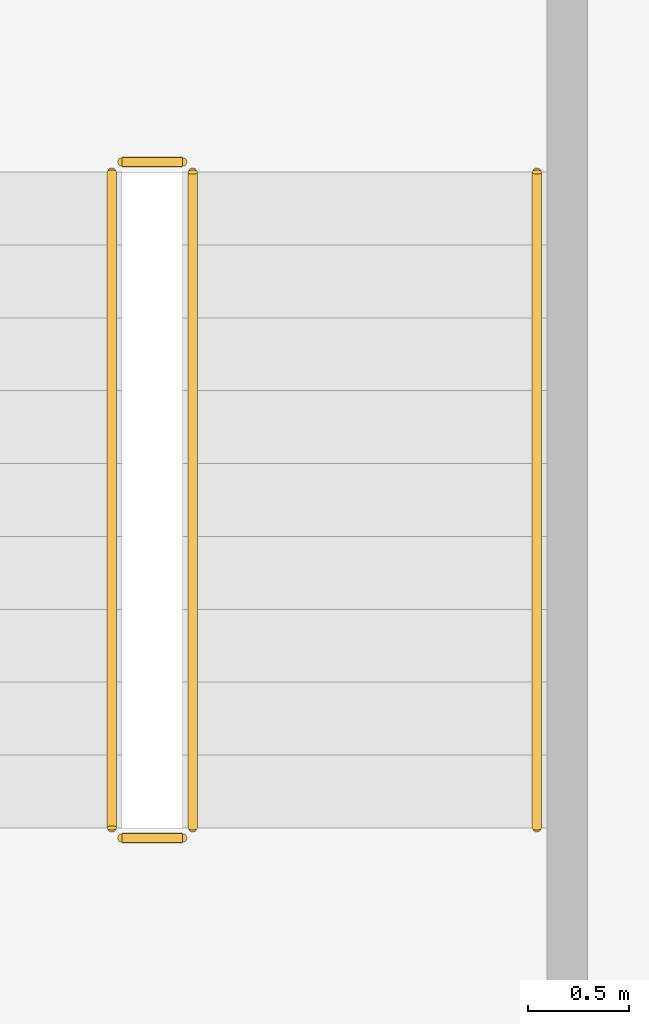
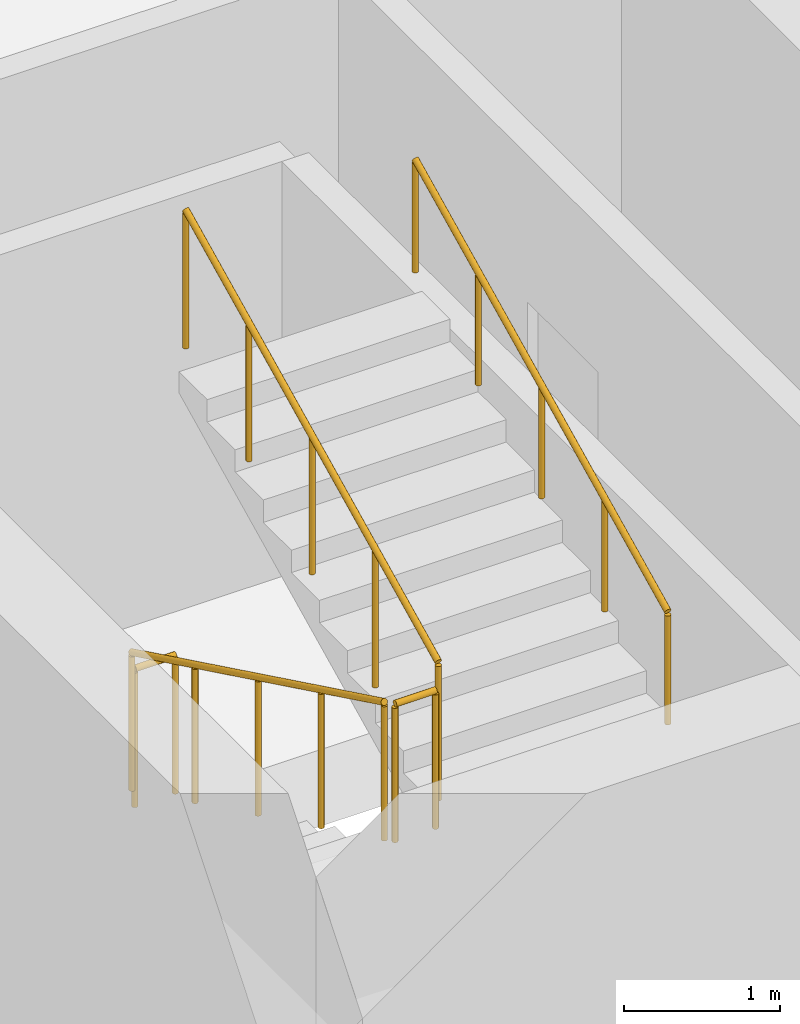
# One storey, part 26 of 28: 5 railings.
"""IFC4 building model written with IfcOpenShell, lengths in metres."""

from ifc_helpers import new_model, si_unit, direction, frame, origin, origin_2d, place, context, subcontext, project, spatial, circle, extrude, material, type_object, element, save


model = new_model("IFC4")

# Units and contexts
model_context = context("Model", 3, precision=1e-05, world=origin(), true_north=direction((0.0, 1.0)))
body_context = subcontext(model_context, "Body", "Model", "MODEL_VIEW")
ifc_project = project(units=[si_unit("LENGTHUNIT", "METRE"), si_unit("AREAUNIT", "SQUARE_METRE"), si_unit("VOLUMEUNIT", "CUBIC_METRE"), si_unit("PLANEANGLEUNIT", "RADIAN"), si_unit("MASSUNIT", "GRAM", prefix="KILO")], contexts=[model_context])

# Site, building, storey
site_placement = place(None, origin())
site = spatial("IfcSite", under=ifc_project, at=site_placement, CompositionType="ELEMENT")
building_placement = place(site_placement, origin())
building = spatial("IfcBuilding", under=site, at=building_placement, Name="Cobrizo Arcos Hotel Tower", CompositionType="ELEMENT")
storey_placement = place(building_placement, frame((0.0, 0.0, 39.0)))
storey = spatial("IfcBuildingStorey", under=building, at=storey_placement, Name="L07", CompositionType="ELEMENT", Elevation=39.0)

# Railings
ifc_material = material(Name="Stainless steel railing", Category="steel")
railing_type_1 = type_object("IfcRailingType", Name="Stair guard 1100", PredefinedType="GUARDRAIL", material=ifc_material)
railing_1_placement = place(storey_placement, frame((17.75, -5.5, 0.175048828125)))
element("IfcRailing", 1, at=railing_1_placement, inside=storey, type_object=railing_type_1, Name="L07 ST-E stair guard 1", PredefinedType="GUARDRAIL", context=body_context, shape_type="SweptSolid", body=[
    extrude(circle(Radius=0.02392578125, at=origin_2d()), frame((0.0, 0.0, 1.076171875), z_axis=(0.0, -0.899372665325, 0.437182809435), x_axis=(1.0, 0.0, 0.0)), (0.0, 0.0, 1.0), 3.6025390625),
    extrude(circle(Radius=0.02099609375, at=origin_2d()), origin(), (0.0, 0.0, 1.0), 1.052001953125),
    extrude(circle(Radius=0.02099609375, at=origin_2d()), frame((0.0, -0.81005859375, 0.393798828125)), (0.0, 0.0, 1.0), 1.052001953125),
    extrude(circle(Radius=0.02099609375, at=origin_2d()), frame((0.0, -1.6201171875, 0.78759765625)), (0.0, 0.0, 1.0), 1.052001953125),
    extrude(circle(Radius=0.02099609375, at=origin_2d()), frame((0.0, -2.429931640625, 1.18115234375)), (0.0, 0.0, 1.0), 1.052001953125),
    extrude(circle(Radius=0.02099609375, at=origin_2d()), frame((0.0, -3.239990234375, 1.574951171875)), (0.0, 0.0, 1.0), 1.052001953125),
])
railing_2_placement = place(storey_placement, frame((17.800048828125, -8.7900390625, 1.75)))
element("IfcRailing", 2, at=railing_2_placement, inside=storey, type_object=railing_type_1, Name="L07 ST-E stair guard 2", PredefinedType="GUARDRAIL", context=body_context, shape_type="SweptSolid", body=[
    extrude(circle(Radius=0.02392578125, at=origin_2d()), frame((0.0, 0.0, 1.076171875), z_axis=(1.0, 0.0, 0.0), x_axis=(0.0, 1.0, 0.0)), (0.0, 0.0, 1.0), 0.300048828125),
    extrude(circle(Radius=0.02099609375, at=origin_2d()), origin(), (0.0, 0.0, 1.0), 1.052001953125),
    extrude(circle(Radius=0.02099609375, at=origin_2d()), frame((0.300048828125, 0.0, 0.0)), (0.0, 0.0, 1.0), 1.052001953125),
])
railing_3_placement = place(storey_placement, frame((18.14990234375, -8.739990234375, 1.925048828125)))
element("IfcRailing", 3, at=railing_3_placement, inside=storey, type_object=railing_type_1, Name="L07 ST-E stair guard 3", PredefinedType="GUARDRAIL", context=body_context, shape_type="SweptSolid", body=[
    extrude(circle(Radius=0.02392578125, at=origin_2d()), frame((0.0, 0.0, 1.076171875), z_axis=(0.0, 0.899372665325, 0.437182809435), x_axis=(-1.0, 0.0, 0.0)), (0.0, 0.0, 1.0), 3.6025390625),
    extrude(circle(Radius=0.02099609375, at=origin_2d()), origin(), (0.0, 0.0, 1.0), 1.052001953125),
    extrude(circle(Radius=0.02099609375, at=origin_2d()), frame((0.0, 0.81005859375, 0.393798828125)), (0.0, 0.0, 1.0), 1.052001953125),
    extrude(circle(Radius=0.02099609375, at=origin_2d()), frame((0.0, 1.6201171875, 0.78759765625)), (0.0, 0.0, 1.0), 1.052001953125),
    extrude(circle(Radius=0.02099609375, at=origin_2d()), frame((0.0, 2.429931640625, 1.18115234375)), (0.0, 0.0, 1.0), 1.052001953125),
    extrude(circle(Radius=0.02099609375, at=origin_2d()), frame((0.0, 3.239990234375, 1.574951171875)), (0.0, 0.0, 1.0), 1.052001953125),
])
railing_4_placement = place(storey_placement, frame((17.800048828125, -5.449951171875, 0.0)))
element("IfcRailing", 4, at=railing_4_placement, inside=storey, type_object=railing_type_1, Name="L07 ST-E stair guard 4", PredefinedType="GUARDRAIL", context=body_context, shape_type="SweptSolid", body=[
    extrude(circle(Radius=0.02392578125, at=origin_2d()), frame((0.0, 0.0, 1.076171875), z_axis=(1.0, 0.0, 0.0), x_axis=(0.0, 1.0, 0.0)), (0.0, 0.0, 1.0), 0.300048828125),
    extrude(circle(Radius=0.02099609375, at=origin_2d()), origin(), (0.0, 0.0, 1.0), 1.052001953125),
    extrude(circle(Radius=0.02099609375, at=origin_2d()), frame((0.300048828125, 0.0, 0.0)), (0.0, 0.0, 1.0), 1.052001953125),
])
railing_type_2 = type_object("IfcRailingType", Name="Stair handrail", PredefinedType="HANDRAIL", material=ifc_material)
railing_5_placement = place(storey_placement, frame((19.85009765625, -8.739990234375, 1.925048828125)))
element("IfcRailing", 5, at=railing_5_placement, inside=storey, type_object=railing_type_2, Name="L07 ST-E stair handrail 2", PredefinedType="HANDRAIL", context=body_context, shape_type="SweptSolid", body=[
    extrude(circle(Radius=0.02392578125, at=origin_2d()), frame((0.0, 0.0, 0.8759765625), z_axis=(0.0, 0.899372665325, 0.437182809435), x_axis=(-1.0, 0.0, 0.0)), (0.0, 0.0, 1.0), 3.6025390625),
    extrude(circle(Radius=0.02099609375, at=origin_2d()), origin(), (0.0, 0.0, 1.0), 0.851806640625),
    extrude(circle(Radius=0.02099609375, at=origin_2d()), frame((0.0, 0.81005859375, 0.393798828125)), (0.0, 0.0, 1.0), 0.851806640625),
    extrude(circle(Radius=0.02099609375, at=origin_2d()), frame((0.0, 1.6201171875, 0.78759765625)), (0.0, 0.0, 1.0), 0.851806640625),
    extrude(circle(Radius=0.02099609375, at=origin_2d()), frame((0.0, 2.429931640625, 1.18115234375)), (0.0, 0.0, 1.0), 0.851806640625),
    extrude(circle(Radius=0.02099609375, at=origin_2d()), frame((0.0, 3.239990234375, 1.574951171875)), (0.0, 0.0, 1.0), 0.851806640625),
])

save(model, "model.ifc")
